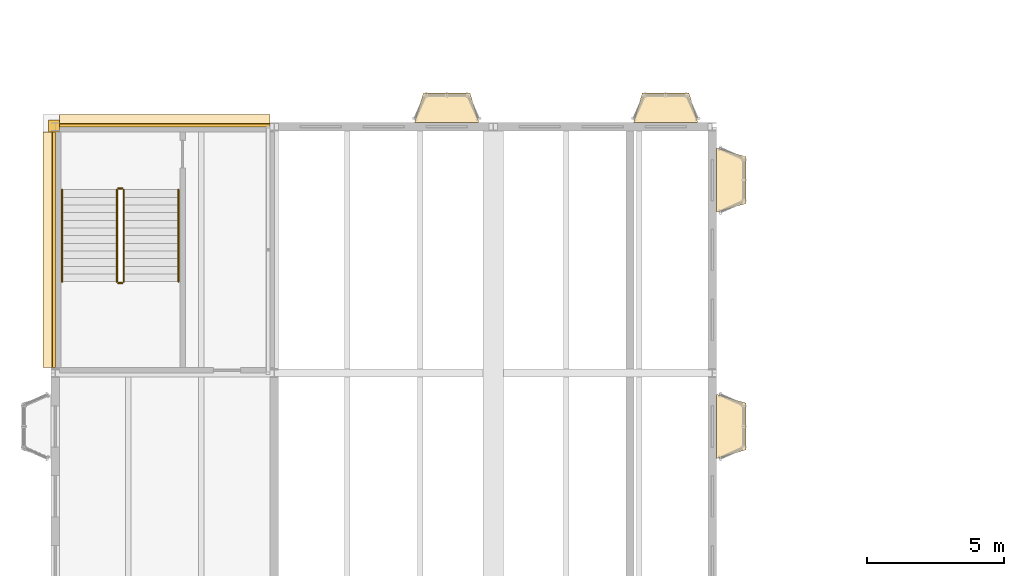
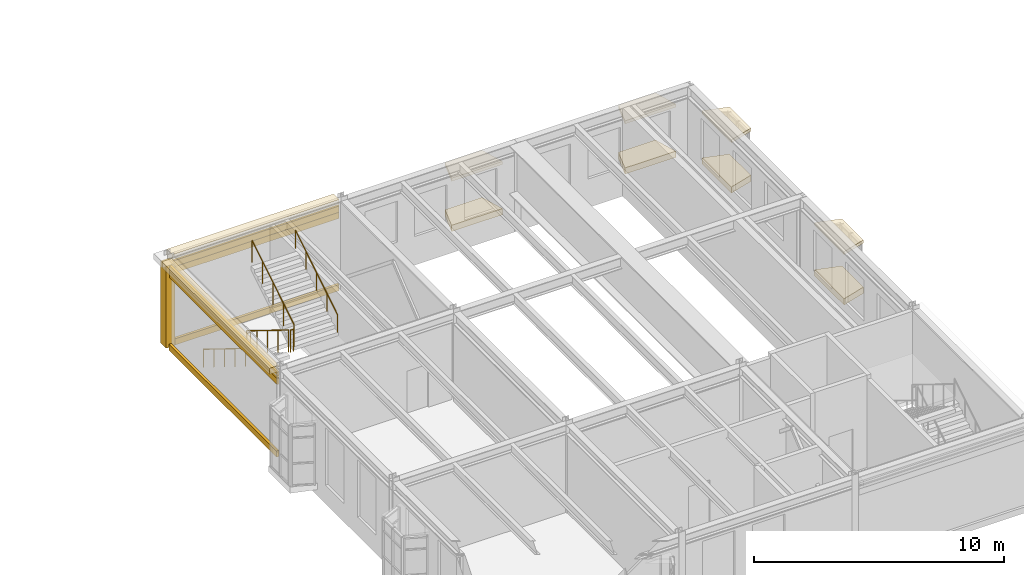
# One storey, part 130 of 153: 17 coverings, 6 railings.
"""IFC4 building model written with IfcOpenShell, lengths in metres."""

from ifc_helpers import new_model, si_unit, direction, frame, origin, origin_2d, place, context, subcontext, project, spatial, polyline, rectangle, circle, outline, extrude, material, layer, layer_set, type_object, element, save


model = new_model("IFC4")

# Units and contexts
model_context = context("Model", 3, precision=1e-05, world=origin(), true_north=direction((0.0, 1.0)))
body_context = subcontext(model_context, "Body", "Model", "MODEL_VIEW")
ifc_project = project(units=[si_unit("LENGTHUNIT", "METRE"), si_unit("AREAUNIT", "SQUARE_METRE"), si_unit("VOLUMEUNIT", "CUBIC_METRE"), si_unit("PLANEANGLEUNIT", "RADIAN"), si_unit("MASSUNIT", "GRAM", prefix="KILO")], contexts=[model_context])

# Site, building, storey
site_placement = place(None, origin())
site = spatial("IfcSite", under=ifc_project, at=site_placement, CompositionType="ELEMENT")
building_placement = place(site_placement, origin())
building = spatial("IfcBuilding", under=site, at=building_placement, Name="Kallimachos Central Library", CompositionType="ELEMENT")
storey_placement = place(building_placement, frame((0.0, 0.0, 5.39990234375)))
storey = spatial("IfcBuildingStorey", under=building, at=storey_placement, Name="L01", CompositionType="ELEMENT", Elevation=5.39990234375)

# Coverings
ifc_material_1 = material(Name="Glazed ceramic frieze, green")
ifc_layer_1 = layer(ifc_material_1, 0.10009765625)
ifc_layer_set_1 = layer_set([ifc_layer_1], Name="Glazed ceramic frieze, green")
covering_type_1 = type_object("IfcCoveringType", Name="Glazed ceramic frieze, green", PredefinedType="CLADDING", material=ifc_layer_set_1)
covering_1_placement = place(storey_placement, frame((5.949951171875, 31.5, 3.68017578125), z_axis=(0.0, 0.0, 1.0), x_axis=(1.0, 0.0, 0.0)))
element("IfcCovering", 1, at=covering_1_placement, inside=storey, type_object=covering_type_1, Name="Glazed ceramic frieze, green -L01-024", PredefinedType="CLADDING", context=body_context, shape_type="SweptSolid", body=[
    extrude(rectangle(XDim=0.10009765625, YDim=8.60009765625, at=origin_2d()), origin(), (0.0, 0.0, 1.0), 0.300048828125),
])
covering_2_placement = place(storey_placement, frame((10.0, 36.050048828125, 3.68017578125), z_axis=(0.0, 0.0, 1.0), x_axis=(1.0, 0.0, 0.0)))
element("IfcCovering", 2, at=covering_2_placement, inside=storey, type_object=covering_type_1, Name="Glazed ceramic frieze, green -L01-025", PredefinedType="CLADDING", context=body_context, shape_type="SweptSolid", body=[
    extrude(rectangle(XDim=7.699951171875, YDim=0.10009765625, at=origin_2d()), origin(), (0.0, 0.0, 1.0), 0.300048828125),
])
ifc_material_2 = material(Name="Glazed ceramic frieze, ochre")
ifc_layer_2 = layer(ifc_material_2, 0.10009765625)
ifc_layer_set_2 = layer_set([ifc_layer_2], Name="Glazed ceramic frieze, ochre")
covering_type_2 = type_object("IfcCoveringType", Name="Glazed ceramic frieze, ochre", PredefinedType="CLADDING", material=ifc_layer_set_2)
covering_3_placement = place(storey_placement, frame((5.949951171875, 31.5, 3.3798828125), z_axis=(0.0, 0.0, 1.0), x_axis=(1.0, 0.0, 0.0)))
element("IfcCovering", 3, at=covering_3_placement, inside=storey, type_object=covering_type_2, Name="Glazed ceramic frieze, ochre -L01-024", PredefinedType="CLADDING", context=body_context, shape_type="SweptSolid", body=[
    extrude(rectangle(XDim=0.10009765625, YDim=8.60009765625, at=origin_2d()), origin(), (0.0, 0.0, 1.0), 0.300048828125),
])
covering_4_placement = place(storey_placement, frame((10.0, 36.050048828125, 3.3798828125), z_axis=(0.0, 0.0, 1.0), x_axis=(1.0, 0.0, 0.0)))
element("IfcCovering", 4, at=covering_4_placement, inside=storey, type_object=covering_type_2, Name="Glazed ceramic frieze, ochre -L01-025", PredefinedType="CLADDING", context=body_context, shape_type="SweptSolid", body=[
    extrude(rectangle(XDim=7.699951171875, YDim=0.10009765625, at=origin_2d()), origin(), (0.0, 0.0, 1.0), 0.300048828125),
])

# Railings
ifc_material_3 = material(Name="Wrought iron")
railing_type_1 = type_object("IfcRailingType", Name="Stair guard", PredefinedType="GUARDRAIL", material=ifc_material_3)
railing_1_placement = place(storey_placement, frame((8.25, 33.699951171875, 0.173095703125)))
element("IfcRailing", 5, at=railing_1_placement, inside=storey, type_object=railing_type_1, Name="L01 ST18 stair guard 1", PredefinedType="GUARDRAIL", context=body_context, shape_type="SweptSolid", body=[
    extrude(circle(Radius=0.02392578125, at=origin_2d()), frame((0.0, 0.0, 1.076171875), z_axis=(0.0, -0.850606129759, 0.525803396734), x_axis=(1.0, 0.0, 0.0)), (0.0, 0.0, 1.0), 3.949951171875),
    extrude(circle(Radius=0.02099609375, at=origin_2d()), origin(), (0.0, 0.0, 1.0), 1.052001953125),
    extrude(circle(Radius=0.02099609375, at=origin_2d()), frame((0.0, -0.83984375, 0.519287109375)), (0.0, 0.0, 1.0), 1.052001953125),
    extrude(circle(Radius=0.02099609375, at=origin_2d()), frame((0.0, -1.679931640625, 1.03857421875)), (0.0, 0.0, 1.0), 1.052001953125),
    extrude(circle(Radius=0.02099609375, at=origin_2d()), frame((0.0, -2.52001953125, 1.5576171875)), (0.0, 0.0, 1.0), 1.052001953125),
    extrude(circle(Radius=0.02099609375, at=origin_2d()), frame((0.0, -3.35986328125, 2.076904296875)), (0.0, 0.0, 1.0), 1.052001953125),
])
railing_2_placement = place(storey_placement, frame((8.300048828125, 30.2900390625, 2.25)))
element("IfcRailing", 6, at=railing_2_placement, inside=storey, type_object=railing_type_1, Name="L01 ST18 stair guard 2", PredefinedType="GUARDRAIL", context=body_context, shape_type="SweptSolid", body=[
    extrude(circle(Radius=0.02392578125, at=origin_2d()), frame((0.0, 0.0, 1.076171875), z_axis=(1.0, 0.0, 0.0), x_axis=(0.0, 1.0, 0.0)), (0.0, 0.0, 1.0), 0.14990234375),
    extrude(circle(Radius=0.02099609375, at=origin_2d()), origin(), (0.0, 0.0, 1.0), 1.052001953125),
    extrude(circle(Radius=0.02099609375, at=origin_2d()), frame((0.14990234375, 0.0, 0.0)), (0.0, 0.0, 1.0), 1.052001953125),
])
railing_3_placement = place(storey_placement, frame((8.5, 30.340087890625, 2.423095703125)))
element("IfcRailing", 7, at=railing_3_placement, inside=storey, type_object=railing_type_1, Name="L01 ST18 stair guard 3", PredefinedType="GUARDRAIL", context=body_context, shape_type="SweptSolid", body=[
    extrude(circle(Radius=0.02392578125, at=origin_2d()), frame((0.0, 0.0, 1.076171875), z_axis=(0.0, 0.850606129759, 0.525803396734), x_axis=(-1.0, 0.0, 0.0)), (0.0, 0.0, 1.0), 3.949951171875),
    extrude(circle(Radius=0.02099609375, at=origin_2d()), origin(), (0.0, 0.0, 1.0), 1.052001953125),
    extrude(circle(Radius=0.02099609375, at=origin_2d()), frame((0.0, 0.83984375, 0.519287109375)), (0.0, 0.0, 1.0), 1.052001953125),
    extrude(circle(Radius=0.02099609375, at=origin_2d()), frame((0.0, 1.679931640625, 1.03857421875)), (0.0, 0.0, 1.0), 1.052001953125),
    extrude(circle(Radius=0.02099609375, at=origin_2d()), frame((0.0, 2.52001953125, 1.5576171875)), (0.0, 0.0, 1.0), 1.052001953125),
    extrude(circle(Radius=0.02099609375, at=origin_2d()), frame((0.0, 3.35986328125, 2.076904296875)), (0.0, 0.0, 1.0), 1.052001953125),
])
railing_4_placement = place(storey_placement, frame((8.300048828125, 33.75, 0.0)))
element("IfcRailing", 8, at=railing_4_placement, inside=storey, type_object=railing_type_1, Name="L01 ST18 stair guard 4", PredefinedType="GUARDRAIL", context=body_context, shape_type="SweptSolid", body=[
    extrude(circle(Radius=0.02392578125, at=origin_2d()), frame((0.0, 0.0, 1.076171875), z_axis=(1.0, 0.0, 0.0), x_axis=(0.0, 1.0, 0.0)), (0.0, 0.0, 1.0), 0.14990234375),
    extrude(circle(Radius=0.02099609375, at=origin_2d()), origin(), (0.0, 0.0, 1.0), 1.052001953125),
    extrude(circle(Radius=0.02099609375, at=origin_2d()), frame((0.14990234375, 0.0, 0.0)), (0.0, 0.0, 1.0), 1.052001953125),
])
ifc_material_4 = material(Name="Wrought iron")
railing_type_2 = type_object("IfcRailingType", Name="Stair handrail", PredefinedType="HANDRAIL", material=ifc_material_4)
railing_5_placement = place(storey_placement, frame((6.25, 33.699951171875, 0.173095703125)))
element("IfcRailing", 9, at=railing_5_placement, inside=storey, type_object=railing_type_2, Name="L01 ST18 stair handrail 1", PredefinedType="HANDRAIL", context=body_context, shape_type="SweptSolid", body=[
    extrude(circle(Radius=0.02392578125, at=origin_2d()), frame((0.0, 0.0, 0.8759765625), z_axis=(0.0, -0.850606129759, 0.525803396734), x_axis=(1.0, 0.0, 0.0)), (0.0, 0.0, 1.0), 3.949951171875),
    extrude(circle(Radius=0.02099609375, at=origin_2d()), origin(), (0.0, 0.0, 1.0), 0.851806640625),
    extrude(circle(Radius=0.02099609375, at=origin_2d()), frame((0.0, -0.83984375, 0.519287109375)), (0.0, 0.0, 1.0), 0.851806640625),
    extrude(circle(Radius=0.02099609375, at=origin_2d()), frame((0.0, -1.679931640625, 1.03857421875)), (0.0, 0.0, 1.0), 0.851806640625),
    extrude(circle(Radius=0.02099609375, at=origin_2d()), frame((0.0, -2.52001953125, 1.5576171875)), (0.0, 0.0, 1.0), 0.851806640625),
    extrude(circle(Radius=0.02099609375, at=origin_2d()), frame((0.0, -3.35986328125, 2.076904296875)), (0.0, 0.0, 1.0), 0.851806640625),
])
railing_6_placement = place(storey_placement, frame((10.5, 30.340087890625, 2.423095703125)))
element("IfcRailing", 10, at=railing_6_placement, inside=storey, type_object=railing_type_2, Name="L01 ST18 stair handrail 2", PredefinedType="HANDRAIL", context=body_context, shape_type="SweptSolid", body=[
    extrude(circle(Radius=0.02392578125, at=origin_2d()), frame((0.0, 0.0, 0.8759765625), z_axis=(0.0, 0.850606129759, 0.525803396734), x_axis=(-1.0, 0.0, 0.0)), (0.0, 0.0, 1.0), 3.949951171875),
    extrude(circle(Radius=0.02099609375, at=origin_2d()), origin(), (0.0, 0.0, 1.0), 0.851806640625),
    extrude(circle(Radius=0.02099609375, at=origin_2d()), frame((0.0, 0.83984375, 0.519287109375)), (0.0, 0.0, 1.0), 0.851806640625),
    extrude(circle(Radius=0.02099609375, at=origin_2d()), frame((0.0, 1.679931640625, 1.03857421875)), (0.0, 0.0, 1.0), 0.851806640625),
    extrude(circle(Radius=0.02099609375, at=origin_2d()), frame((0.0, 2.52001953125, 1.5576171875)), (0.0, 0.0, 1.0), 0.851806640625),
    extrude(circle(Radius=0.02099609375, at=origin_2d()), frame((0.0, 3.35986328125, 2.076904296875)), (0.0, 0.0, 1.0), 0.851806640625),
])

# Coverings
ifc_material_5 = material(Name="Pentelic marble attic moulding", Category="masonry")
ifc_layer_3 = layer(ifc_material_5, 0.1201171875)
ifc_layer_set_3 = layer_set([ifc_layer_3], Name="Stone attic moulding 300")
covering_type_3 = type_object("IfcCoveringType", Name="Stone attic moulding 300", PredefinedType="MOLDING", material=ifc_layer_set_3)
covering_5_placement = place(storey_placement, frame((5.93994140625, 31.5, -0.14990234375), z_axis=(0.0, 0.0, 1.0), x_axis=(1.0, 0.0, 0.0)))
element("IfcCovering", 11, at=covering_5_placement, inside=storey, type_object=covering_type_3, Name="Stone attic moulding 300 -L01-024", PredefinedType="MOLDING", context=body_context, shape_type="SweptSolid", body=[
    extrude(rectangle(XDim=0.1201171875, YDim=8.60009765625, at=origin_2d()), origin(), (0.0, 0.0, 1.0), 0.300048828125),
])
covering_6_placement = place(storey_placement, frame((10.0, 36.06005859375, -0.14990234375), z_axis=(0.0, 0.0, 1.0), x_axis=(1.0, 0.0, 0.0)))
element("IfcCovering", 12, at=covering_6_placement, inside=storey, type_object=covering_type_3, Name="Stone attic moulding 300 -L01-025", PredefinedType="MOLDING", context=body_context, shape_type="SweptSolid", body=[
    extrude(rectangle(XDim=7.699951171875, YDim=0.1201171875, at=origin_2d()), origin(), (0.0, 0.0, 1.0), 0.300048828125),
])
ifc_material_6 = material(Name="Pentelic marble cornice", Category="masonry")
ifc_layer_4 = layer(ifc_material_6, 0.449951171875)
ifc_layer_set_4 = layer_set([ifc_layer_4], Name="Stone cornice 450")
covering_type_4 = type_object("IfcCoveringType", Name="Stone cornice 450", PredefinedType="MOLDING", material=ifc_layer_set_4)
covering_7_placement = place(storey_placement, frame((5.77490234375, 31.5, 4.0), z_axis=(0.0, 0.0, 1.0), x_axis=(1.0, 0.0, 0.0)))
element("IfcCovering", 13, at=covering_7_placement, inside=storey, type_object=covering_type_4, Name="Stone cornice 450 -L01-024", PredefinedType="MOLDING", context=body_context, shape_type="SweptSolid", body=[
    extrude(rectangle(XDim=0.449951171875, YDim=8.60009765625, at=origin_2d()), origin(), (0.0, 0.0, 1.0), 0.300048828125),
])
covering_8_placement = place(storey_placement, frame((10.0, 36.22509765625, 4.0), z_axis=(0.0, 0.0, 1.0), x_axis=(1.0, 0.0, 0.0)))
element("IfcCovering", 14, at=covering_8_placement, inside=storey, type_object=covering_type_4, Name="Stone cornice 450 -L01-025", PredefinedType="MOLDING", context=body_context, shape_type="SweptSolid", body=[
    extrude(rectangle(XDim=7.699951171875, YDim=0.449951171875, at=origin_2d()), origin(), (0.0, 0.0, 1.0), 0.300048828125),
])
ifc_material_7 = material(Name="Pentelic marble pilaster", Category="masonry")
ifc_layer_5 = layer(ifc_material_7, 0.25)
ifc_layer_set_5 = layer_set([ifc_layer_5], Name="Stone pilaster 250")
covering_type_5 = type_object("IfcCoveringType", Name="Stone pilaster 250", PredefinedType="CLADDING", material=ifc_layer_set_5)
covering_9_placement = place(storey_placement, frame((5.949951171875, 36.02490234375, 0.0), z_axis=(0.0, 0.0, 1.0), x_axis=(1.0, 0.0, 0.0)))
element("IfcCovering", 15, at=covering_9_placement, inside=storey, type_object=covering_type_5, Name="Stone pilaster 250 corner", PredefinedType="CLADDING", context=body_context, shape_type="SweptSolid", body=[
    extrude(rectangle(XDim=0.39990234375, YDim=0.449951171875, at=origin_2d()), origin(), (0.0, 0.0, 1.0), 4.0),
])
ifc_material_8 = material(Name="Lead-coated copper sheet")
ifc_layer_6 = layer(ifc_material_8, 0.14990234375)
ifc_layer_set_6 = layer_set([ifc_layer_6], Name="Tribune bay roof cap 150")
covering_type_6 = type_object("IfcCoveringType", Name="Tribune bay roof cap 150", PredefinedType="ROOFING", material=ifc_layer_set_6)
covering_10_placement = place(storey_placement, frame((0.0, 0.0, 3.25)))
element("IfcCovering", 16, at=covering_10_placement, inside=storey, type_object=covering_type_6, Name="Tribune bay roof cap", PredefinedType="ROOFING", context=body_context, shape_type="SweptSolid", body=[
    extrude(outline(polyline([(27.125, 36.14990234375), (29.47509765625, 36.14990234375), (29.155029296875, 37.22998046875), (27.445068359375, 37.22998046875), (27.125, 36.14990234375)])), origin(), (0.0, 0.0, 1.0), 0.150146484375),
])
covering_11_placement = place(storey_placement, frame((0.0, 0.0, 3.25)))
element("IfcCovering", 17, at=covering_11_placement, inside=storey, type_object=covering_type_6, Name="Tribune bay roof cap", PredefinedType="ROOFING", context=body_context, shape_type="SweptSolid", body=[
    extrude(outline(polyline([(30.14990234375, 32.875), (30.14990234375, 35.22509765625), (31.22998046875, 34.905029296875), (31.22998046875, 33.195068359375), (30.14990234375, 32.875)])), origin(), (0.0, 0.0, 1.0), 0.150146484375),
])
covering_12_placement = place(storey_placement, frame((0.0, 0.0, 3.25)))
element("IfcCovering", 18, at=covering_12_placement, inside=storey, type_object=covering_type_6, Name="Tribune bay roof cap", PredefinedType="ROOFING", context=body_context, shape_type="SweptSolid", body=[
    extrude(outline(polyline([(19.125, 36.14990234375), (21.47509765625, 36.14990234375), (21.155029296875, 37.22998046875), (19.445068359375, 37.22998046875), (19.125, 36.14990234375)])), origin(), (0.0, 0.0, 1.0), 0.150146484375),
])
covering_13_placement = place(storey_placement, frame((0.0, 0.0, 3.25)))
element("IfcCovering", 19, at=covering_13_placement, inside=storey, type_object=covering_type_6, Name="Tribune bay roof cap", PredefinedType="ROOFING", context=body_context, shape_type="SweptSolid", body=[
    extrude(outline(polyline([(30.14990234375, 23.875), (30.14990234375, 26.22509765625), (31.22998046875, 25.905029296875), (31.22998046875, 24.195068359375), (30.14990234375, 23.875)])), origin(), (0.0, 0.0, 1.0), 0.150146484375),
])
ifc_material_9 = material(Name="Pentelic marble tribune base", Category="masonry")
ifc_layer_7 = layer(ifc_material_9, 0.300048828125)
ifc_layer_set_7 = layer_set([ifc_layer_7], Name="Tribune bay stone base 300")
covering_type_7 = type_object("IfcCoveringType", Name="Tribune bay stone base 300", PredefinedType="MOLDING", material=ifc_layer_set_7)
covering_14_placement = place(storey_placement, frame((0.0, 0.0, 0.800048828125)))
element("IfcCovering", 20, at=covering_14_placement, inside=storey, type_object=covering_type_7, Name="Tribune bay base", PredefinedType="MOLDING", context=body_context, shape_type="SweptSolid", body=[
    extrude(outline(polyline([(27.125, 36.14990234375), (29.47509765625, 36.14990234375), (29.155029296875, 37.22998046875), (27.445068359375, 37.22998046875), (27.125, 36.14990234375)])), origin(), (0.0, 0.0, 1.0), 0.300048828125),
])
covering_15_placement = place(storey_placement, frame((0.0, 0.0, 0.800048828125)))
element("IfcCovering", 21, at=covering_15_placement, inside=storey, type_object=covering_type_7, Name="Tribune bay base", PredefinedType="MOLDING", context=body_context, shape_type="SweptSolid", body=[
    extrude(outline(polyline([(30.14990234375, 32.875), (30.14990234375, 35.22509765625), (31.22998046875, 34.905029296875), (31.22998046875, 33.195068359375), (30.14990234375, 32.875)])), origin(), (0.0, 0.0, 1.0), 0.300048828125),
])
covering_16_placement = place(storey_placement, frame((0.0, 0.0, 0.800048828125)))
element("IfcCovering", 22, at=covering_16_placement, inside=storey, type_object=covering_type_7, Name="Tribune bay base", PredefinedType="MOLDING", context=body_context, shape_type="SweptSolid", body=[
    extrude(outline(polyline([(19.125, 36.14990234375), (21.47509765625, 36.14990234375), (21.155029296875, 37.22998046875), (19.445068359375, 37.22998046875), (19.125, 36.14990234375)])), origin(), (0.0, 0.0, 1.0), 0.300048828125),
])
covering_17_placement = place(storey_placement, frame((0.0, 0.0, 0.800048828125)))
element("IfcCovering", 23, at=covering_17_placement, inside=storey, type_object=covering_type_7, Name="Tribune bay base", PredefinedType="MOLDING", context=body_context, shape_type="SweptSolid", body=[
    extrude(outline(polyline([(30.14990234375, 23.875), (30.14990234375, 26.22509765625), (31.22998046875, 25.905029296875), (31.22998046875, 24.195068359375), (30.14990234375, 23.875)])), origin(), (0.0, 0.0, 1.0), 0.300048828125),
])

save(model, "model.ifc")
